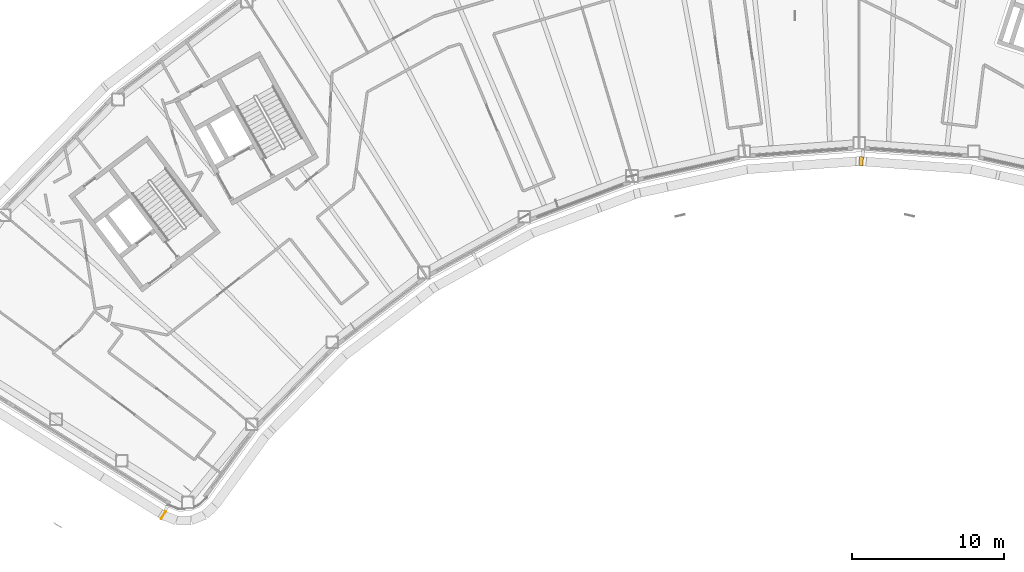
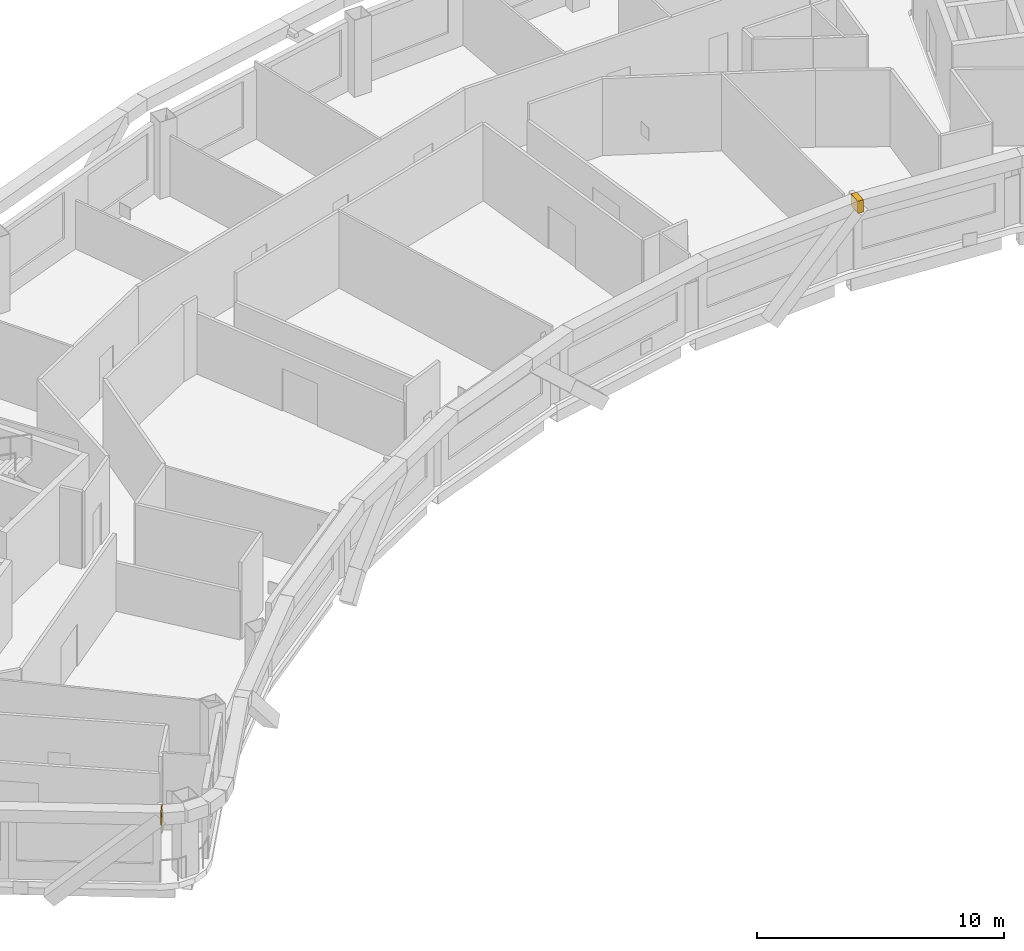
# One storey, part 21 of 21: 2 coverings.
"""IFC4 building model written with IfcOpenShell, lengths in metres."""

from ifc_helpers import new_model, si_unit, direction, frame, origin, origin_2d, place, context, subcontext, project, spatial, rectangle, extrude, material, material_profile, profile_set, type_object, element, save


model = new_model("IFC4")

# Units and contexts
model_context = context("Model", 3, precision=1e-05, world=origin(), true_north=direction((0.0, 1.0)))
body_context = subcontext(model_context, "Body", "Model", "MODEL_VIEW")
ifc_project = project(units=[si_unit("LENGTHUNIT", "METRE"), si_unit("AREAUNIT", "SQUARE_METRE"), si_unit("VOLUMEUNIT", "CUBIC_METRE"), si_unit("PLANEANGLEUNIT", "RADIAN"), si_unit("MASSUNIT", "GRAM", prefix="KILO")], contexts=[model_context])

# Site, building, storey
site_placement = place(None, origin())
site = spatial("IfcSite", under=ifc_project, at=site_placement, CompositionType="ELEMENT")
building_placement = place(site_placement, origin())
building = spatial("IfcBuilding", under=site, at=building_placement, Name="Tuul Gate Civic Tower", CompositionType="ELEMENT")
storey_placement = place(building_placement, frame((0.0, 0.0, 273.60009765625)))
storey = spatial("IfcBuildingStorey", under=building, at=storey_placement, Name="Level 62", CompositionType="ELEMENT", Elevation=273.60009765625)

# Coverings
ifc_material = material(Name="Terracotta baguette", Category="masonry")
ifc_material_profile = material_profile(ifc_material, rectangle(XDim=0.60009765625, YDim=0.60009765625, at=origin_2d()), Name="Terracotta baguette screen frame")
ifc_profile_set = profile_set([ifc_material_profile], Name="Terracotta baguette")
covering_type = type_object("IfcCoveringType", Name="Terracotta baguette screen frame", PredefinedType="CLADDING", material=ifc_profile_set)
covering_1_placement = place(storey_placement, frame((-34.89794921875, -32.4326171875, 3.849853515625), z_axis=(0.848261487435, -0.529577613702, 0.0), x_axis=(0.529577613702, 0.848261487435, 0.0)))
element("IfcCovering", 1, at=covering_1_placement, inside=storey, type_object=covering_type, Name="Baguette 171", PredefinedType="CLADDING", context=body_context, shape_type="SweptSolid", body=[
    extrude(rectangle(XDim=0.60009765625, YDim=0.60009765625, at=origin_2d()), origin(), (0.0, 0.0, 1.0), 0.052001953125),
])
covering_2_placement = place(storey_placement, frame((11.031005859375, -9.0849609375, 3.849853515625), z_axis=(0.997378006638, -0.072367892575, 0.0), x_axis=(0.072367892575, 0.997378006638, 0.0)))
element("IfcCovering", 2, at=covering_2_placement, inside=storey, type_object=covering_type, Name="Baguette 443", PredefinedType="CLADDING", context=body_context, shape_type="SweptSolid", body=[
    extrude(rectangle(XDim=0.60009765625, YDim=0.60009765625, at=origin_2d()), origin(), (0.0, 0.0, 1.0), 0.26318359375),
])

save(model, "model.ifc")
